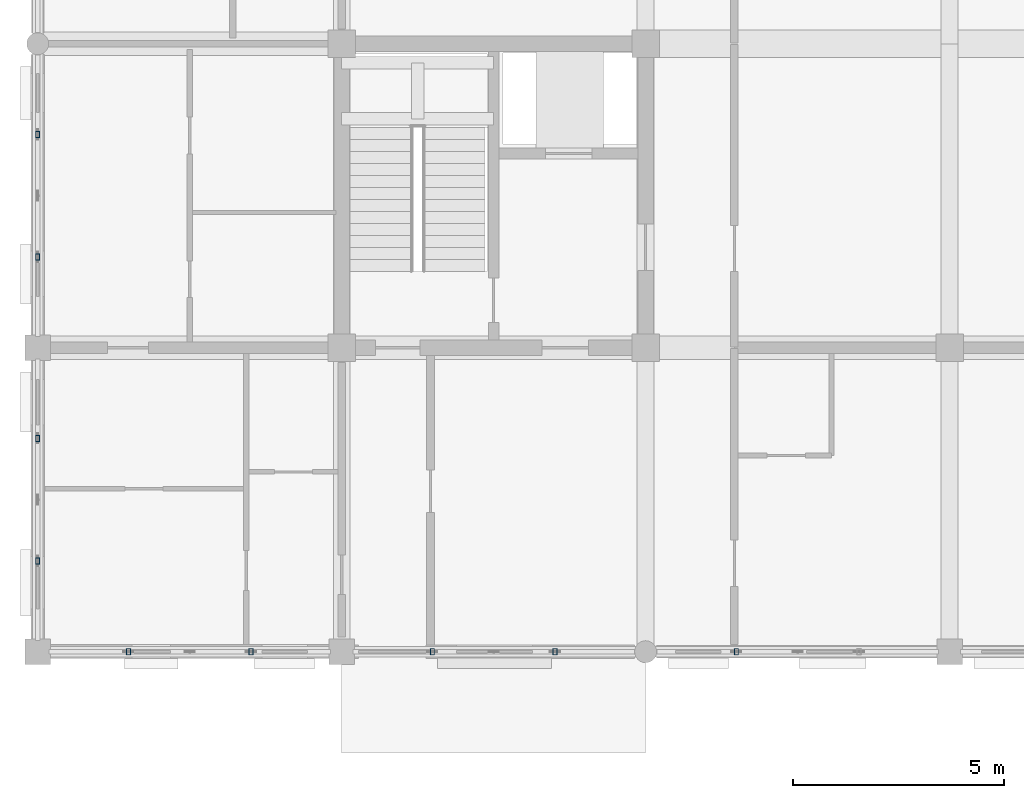
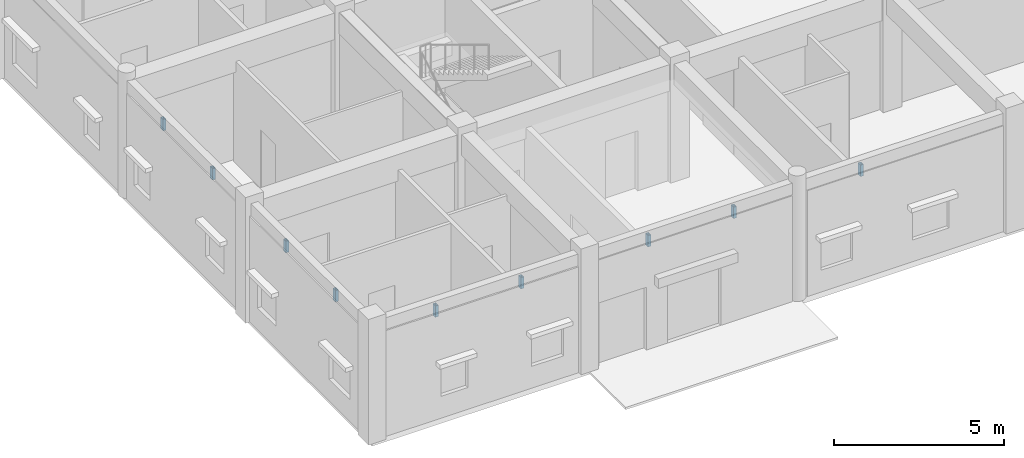
# One storey, part 30 of 138: 9 members.
"""IFC4 building model written with IfcOpenShell, lengths in metres."""

from ifc_helpers import new_model, si_unit, direction, frame, origin, origin_2d, place, context, subcontext, project, spatial, hollow_rectangle, extrude, material, material_profile, profile_set, type_object, element, save


model = new_model("IFC4")

# Units and contexts
model_context = context("Model", 3, precision=1e-05, world=origin(), true_north=direction((0.0, 1.0)))
body_context = subcontext(model_context, "Body", "Model", "MODEL_VIEW")
ifc_project = project(units=[si_unit("LENGTHUNIT", "METRE"), si_unit("AREAUNIT", "SQUARE_METRE"), si_unit("VOLUMEUNIT", "CUBIC_METRE"), si_unit("PLANEANGLEUNIT", "RADIAN"), si_unit("MASSUNIT", "GRAM", prefix="KILO"), si_unit("THERMODYNAMICTEMPERATUREUNIT", "KELVIN"), si_unit("POWERUNIT", "WATT")], contexts=[model_context])

# Site, building, storey
site_placement = place(None, origin())
site = spatial("IfcSite", under=ifc_project, at=site_placement, CompositionType="ELEMENT")
building_placement = place(site_placement, origin())
building = spatial("IfcBuilding", under=site, at=building_placement, Name="Tavuni Mirador Residences", CompositionType="ELEMENT")
storey_placement = place(building_placement, origin())
storey = spatial("IfcBuildingStorey", under=building, at=storey_placement, Name="L00", CompositionType="ELEMENT", Elevation=0.0)

# Members
ifc_material = material(Name="Structural steel S355", Category="steel")
ifc_material_profile = material_profile(ifc_material, hollow_rectangle(XDim=0.10009765625, YDim=0.14990234375, WallThickness=0.008056640625, at=origin_2d()), Name="RHS 150x100x8.0", Category="steel")
ifc_profile_set = profile_set([ifc_material_profile], Name="Structural steel S355")
member_type = type_object("IfcMemberType", Name="MT-BR-RHS150", PredefinedType="BRACE", material=ifc_profile_set)
for number, where, z_axis, x_axis, name in (
    (1, (3.60009765625, 9.347900390625, 3.601318359375), (0.0, 0.0, 1.0), (1.0, 0.0, 0.0), "ARCH-BLKA-W-00-V1"),
    (2, (3.60009765625, 12.251953125, 3.601318359375), (0.0, 0.0, 1.0), (1.0, 0.0, 0.0), "ARCH-BLKA-W-00-V2"),
    (3, (3.60009765625, 16.548095703125, 3.601318359375), (0.0, 0.0, 1.0), (1.0, 0.0, 0.0), "ARCH-BLKA-W-01-V1"),
    (4, (3.60009765625, 19.451904296875, 3.601318359375), (0.0, 0.0, 1.0), (1.0, 0.0, 0.0), "ARCH-BLKA-W-01-V2"),
    (5, (5.748046875, 7.199951171875, 3.601318359375), (0.0, 0.0, 1.0), (1.0, 0.0, 0.0), "ARCH-BLKA-S-00-V1"),
    (6, (8.652099609375, 7.199951171875, 3.601318359375), (0.0, 0.0, 1.0), (1.0, 0.0, 0.0), "ARCH-BLKA-S-00-V2"),
    (7, (12.947998046875, 7.199951171875, 3.601318359375), (0.0, 0.0, 1.0), (1.0, 0.0, 0.0), "ARCH-BLKA-S-01-V1"),
    (8, (15.85205078125, 7.199951171875, 3.601318359375), (0.0, 0.0, 1.0), (1.0, 0.0, 0.0), "ARCH-BLKA-S-01-V2"),
    (9, (20.14794921875, 7.199951171875, 3.601318359375), (0.0, 0.0, 1.0), (1.0, 0.0, 0.0), "ARCH-BLKA-S-02-V1"),
):
    element("IfcMember", number, at=place(storey_placement, frame(where, z_axis=z_axis, x_axis=x_axis)), inside=storey, type_object=member_type, Name=name, PredefinedType="BRACE", context=body_context, shape_type="SweptSolid", body=[
        extrude(hollow_rectangle(XDim=0.10009765625, YDim=0.14990234375, WallThickness=0.008056640625, at=origin_2d()), origin(), (0.0, 0.0, 1.0), 0.40869140625),
    ])

save(model, "model.ifc")
